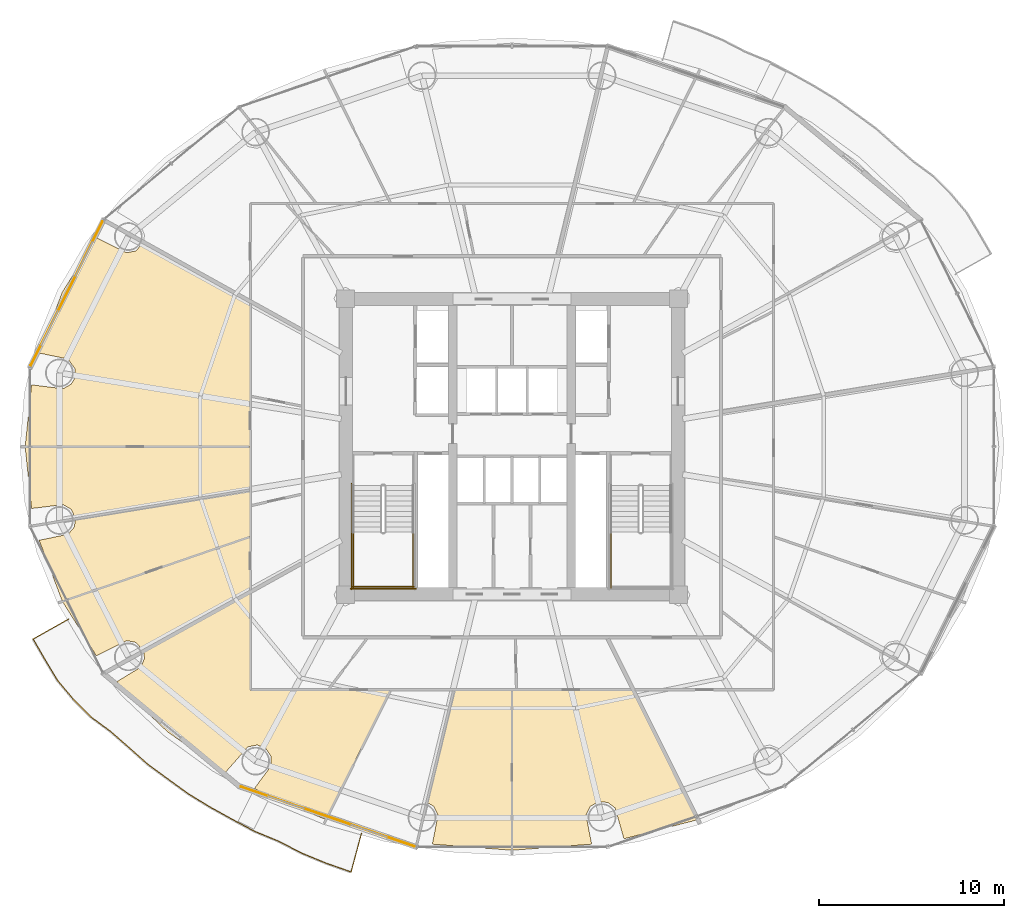
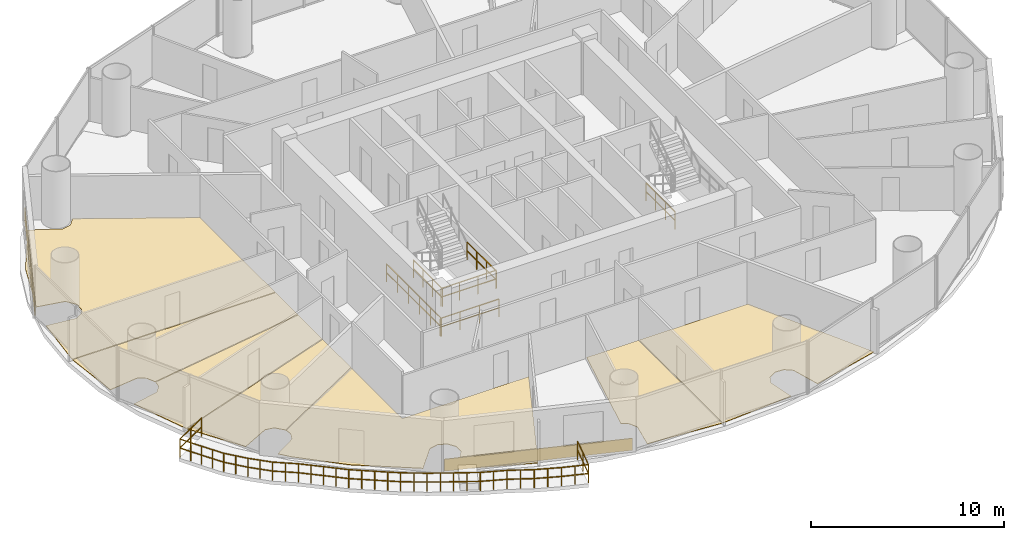
# One storey, part 25 of 28: 9 coverings, 7 railings.
"""IFC4 building model written with IfcOpenShell, lengths in metres."""

from ifc_helpers import new_model, si_unit, direction, frame, origin, origin_2d, place, context, subcontext, project, spatial, polyline, rectangle, outline, extrude, source, transform, mapped, material, layer, layer_set, type_object, element, save


model = new_model("IFC4")

# Units and contexts
model_context = context("Model", 3, precision=1e-05, world=origin(), true_north=direction((-0.2419218956, 0.970295726276)))
body_context = subcontext(model_context, "Body", "Model", "MODEL_VIEW")
ifc_project = project(units=[si_unit("LENGTHUNIT", "METRE"), si_unit("AREAUNIT", "SQUARE_METRE"), si_unit("VOLUMEUNIT", "CUBIC_METRE"), si_unit("PLANEANGLEUNIT", "RADIAN"), si_unit("MASSUNIT", "GRAM", prefix="KILO")], contexts=[model_context])

# Site, building, storey
site_placement = place(None, origin())
site = spatial("IfcSite", under=ifc_project, at=site_placement, CompositionType="ELEMENT")
building_placement = place(site_placement, origin())
building = spatial("IfcBuilding", under=site, at=building_placement, Name="Cobrevalo Terracotta Tower", CompositionType="ELEMENT")
storey_placement = place(building_placement, frame((0.0, 0.0, 101.39990234375)))
storey = spatial("IfcBuildingStorey", under=building, at=storey_placement, Name="L26", CompositionType="ELEMENT", Elevation=101.39990234375)

# Railing
ifc_material_1 = material(Name="Laminated structural glass and stainless steel", Category="steel")
railing_type_1 = type_object("IfcRailingType", Name="Balcony lobe structural glass & terracotta-cap balustrade 1180 mm", PredefinedType="BALUSTRADE", material=ifc_material_1)
railing_1_placement = place(storey_placement, frame((14.037353515625, 17.484619140625, 0.0)))
element("IfcRailing", 1, at=railing_1_placement, inside=storey, type_object=railing_type_1, Name="L26 spiralling balcony lobe balustrade 2", PredefinedType="BALUSTRADE", context=body_context, shape_type="SweptSolid", body=[
    extrude(rectangle(XDim=0.048095703125, YDim=0.048095703125, at=origin_2d()), frame((0.0, 0.0, 1.15576171875), z_axis=(-0.871457612486, -0.490470824454, 0.0), x_axis=(0.490470824454, -0.871457612486, 0.0)), (0.0, 0.0, 1.0), 2.212158203125),
    extrude(rectangle(XDim=0.048095703125, YDim=0.048095703125, at=origin_2d()), frame((0.0, 0.0, 0.58984375), z_axis=(-0.871457612486, -0.490470824454, 0.0), x_axis=(0.490470824454, -0.871457612486, 0.0)), (0.0, 0.0, 1.0), 2.212158203125),
    extrude(rectangle(XDim=0.048095703125, YDim=0.048095703125, at=origin_2d()), frame((-1.927734375, -1.0849609375, 1.15576171875), z_axis=(0.501036270542, -0.865426285481, 0.0), x_axis=(0.865426285481, 0.501036270542, 0.0)), (0.0, 0.0, 1.0), 1.302490234375),
    extrude(rectangle(XDim=0.048095703125, YDim=0.048095703125, at=origin_2d()), frame((-1.927734375, -1.0849609375, 0.58984375), z_axis=(0.501036270542, -0.865426285481, 0.0), x_axis=(0.865426285481, 0.501036270542, 0.0)), (0.0, 0.0, 1.0), 1.302490234375),
    extrude(rectangle(XDim=0.048095703125, YDim=0.048095703125, at=origin_2d()), frame((-1.275146484375, -2.212158203125, 1.15576171875), z_axis=(0.515180598973, -0.857081647477, 0.0), x_axis=(0.857081647477, 0.515180598973, 0.0)), (0.0, 0.0, 1.0), 1.310302734375),
    extrude(rectangle(XDim=0.048095703125, YDim=0.048095703125, at=origin_2d()), frame((-1.275146484375, -2.212158203125, 0.58984375), z_axis=(0.515180598973, -0.857081647477, 0.0), x_axis=(0.857081647477, 0.515180598973, 0.0)), (0.0, 0.0, 1.0), 1.310302734375),
    extrude(rectangle(XDim=0.048095703125, YDim=0.048095703125, at=origin_2d()), frame((-0.60009765625, -3.335205078125, 1.15576171875), z_axis=(0.643467831505, -0.765473154212, 0.0), x_axis=(0.765473154212, 0.643467831505, 0.0)), (0.0, 0.0, 1.0), 1.32861328125),
    extrude(rectangle(XDim=0.048095703125, YDim=0.048095703125, at=origin_2d()), frame((-0.60009765625, -3.335205078125, 0.58984375), z_axis=(0.643467831505, -0.765473154212, 0.0), x_axis=(0.765473154212, 0.643467831505, 0.0)), (0.0, 0.0, 1.0), 1.32861328125),
    extrude(rectangle(XDim=0.048095703125, YDim=0.048095703125, at=origin_2d()), frame((0.2548828125, -4.352294921875, 1.15576171875), z_axis=(0.704243474864, -0.709958539713, 0.0), x_axis=(0.709958539713, 0.704243474864, 0.0)), (0.0, 0.0, 1.0), 1.32421875),
    extrude(rectangle(XDim=0.048095703125, YDim=0.048095703125, at=origin_2d()), frame((0.2548828125, -4.352294921875, 0.58984375), z_axis=(0.704243474864, -0.709958539713, 0.0), x_axis=(0.709958539713, 0.704243474864, 0.0)), (0.0, 0.0, 1.0), 1.32421875),
    extrude(rectangle(XDim=0.048095703125, YDim=0.048095703125, at=origin_2d()), frame((1.1875, -5.29248046875, 1.15576171875), z_axis=(0.805001345374, -0.593272984338, 0.0), x_axis=(0.593272984338, 0.805001345375, 0.0)), (0.0, 0.0, 1.0), 1.351318359375),
    extrude(rectangle(XDim=0.048095703125, YDim=0.048095703125, at=origin_2d()), frame((1.1875, -5.29248046875, 0.58984375), z_axis=(0.805001345374, -0.593272984338, 0.0), x_axis=(0.593272984338, 0.805001345375, 0.0)), (0.0, 0.0, 1.0), 1.351318359375),
    extrude(rectangle(XDim=0.048095703125, YDim=0.048095703125, at=origin_2d()), frame((2.275390625, -6.09423828125, 1.15576171875), z_axis=(0.751883474493, -0.659296019087, 0.0), x_axis=(0.659296019087, 0.751883474493, 0.0)), (0.0, 0.0, 1.0), 1.33154296875),
    extrude(rectangle(XDim=0.048095703125, YDim=0.048095703125, at=origin_2d()), frame((2.275390625, -6.09423828125, 0.58984375), z_axis=(0.751883474493, -0.659296019087, 0.0), x_axis=(0.659296019087, 0.751883474493, 0.0)), (0.0, 0.0, 1.0), 1.33154296875),
    extrude(rectangle(XDim=0.048095703125, YDim=0.048095703125, at=origin_2d()), frame((3.276611328125, -6.97216796875, 1.15576171875), z_axis=(0.746792225533, -0.66505741999, 0.0), x_axis=(0.66505741999, 0.746792225533, 0.0)), (0.0, 0.0, 1.0), 1.332275390625),
    extrude(rectangle(XDim=0.048095703125, YDim=0.048095703125, at=origin_2d()), frame((3.276611328125, -6.97216796875, 0.58984375), z_axis=(0.746792225533, -0.66505741999, 0.0), x_axis=(0.66505741999, 0.746792225533, 0.0)), (0.0, 0.0, 1.0), 1.332275390625),
    extrude(rectangle(XDim=0.048095703125, YDim=0.048095703125, at=origin_2d()), frame((4.271484375, -7.858154296875, 1.15576171875), z_axis=(0.807457104256, -0.589926287587, 0.0), x_axis=(0.589926287587, 0.807457104256, 0.0)), (0.0, 0.0, 1.0), 1.355712890625),
    extrude(rectangle(XDim=0.048095703125, YDim=0.048095703125, at=origin_2d()), frame((4.271484375, -7.858154296875, 0.58984375), z_axis=(0.807457104256, -0.589926287587, 0.0), x_axis=(0.589926287587, 0.807457104256, 0.0)), (0.0, 0.0, 1.0), 1.355712890625),
    extrude(rectangle(XDim=0.048095703125, YDim=0.048095703125, at=origin_2d()), frame((5.3662109375, -8.657958984375, 1.15576171875), z_axis=(0.809336124214, -0.58734575681, 0.0), x_axis=(0.58734575681, 0.809336124214, 0.0)), (0.0, 0.0, 1.0), 1.353759765625),
    extrude(rectangle(XDim=0.048095703125, YDim=0.048095703125, at=origin_2d()), frame((5.3662109375, -8.657958984375, 0.58984375), z_axis=(0.809336124214, -0.58734575681, 0.0), x_axis=(0.58734575681, 0.809336124214, 0.0)), (0.0, 0.0, 1.0), 1.353759765625),
    extrude(rectangle(XDim=0.048095703125, YDim=0.048095703125, at=origin_2d()), frame((6.4619140625, -9.453125, 1.15576171875), z_axis=(0.853757510836, -0.520670829499, 0.0), x_axis=(0.520670829499, 0.853757510836, 0.0)), (0.0, 0.0, 1.0), 1.369140625),
    extrude(rectangle(XDim=0.048095703125, YDim=0.048095703125, at=origin_2d()), frame((6.4619140625, -9.453125, 0.58984375), z_axis=(0.853757510836, -0.520670829499, 0.0), x_axis=(0.520670829499, 0.853757510836, 0.0)), (0.0, 0.0, 1.0), 1.369140625),
    extrude(rectangle(XDim=0.048095703125, YDim=0.048095703125, at=origin_2d()), frame((7.630859375, -10.166015625, 1.15576171875), z_axis=(0.874449417135, -0.485116704384, 0.0), x_axis=(0.485116704384, 0.874449417135, 0.0)), (0.0, 0.0, 1.0), 1.37890625),
    extrude(rectangle(XDim=0.048095703125, YDim=0.048095703125, at=origin_2d()), frame((7.630859375, -10.166015625, 0.58984375), z_axis=(0.874449417135, -0.485116704384, 0.0), x_axis=(0.485116704384, 0.874449417135, 0.0)), (0.0, 0.0, 1.0), 1.37890625),
    extrude(rectangle(XDim=0.048095703125, YDim=0.048095703125, at=origin_2d()), frame((8.836669921875, -10.8349609375, 1.15576171875), z_axis=(0.881769234761, -0.471681053922, 0.0), x_axis=(0.471681053922, 0.881769234761, 0.0)), (0.0, 0.0, 1.0), 1.37939453125),
    extrude(rectangle(XDim=0.048095703125, YDim=0.048095703125, at=origin_2d()), frame((8.836669921875, -10.8349609375, 0.58984375), z_axis=(0.881769234761, -0.471681053922, 0.0), x_axis=(0.471681053922, 0.881769234761, 0.0)), (0.0, 0.0, 1.0), 1.37939453125),
    extrude(rectangle(XDim=0.048095703125, YDim=0.048095703125, at=origin_2d()), frame((10.052978515625, -11.485595703125, 1.15576171875), z_axis=(0.924840393336, -0.38035542175, 0.0), x_axis=(0.38035542175, 0.924840393336, 0.0)), (0.0, 0.0, 1.0), 1.401123046875),
    extrude(rectangle(XDim=0.048095703125, YDim=0.048095703125, at=origin_2d()), frame((10.052978515625, -11.485595703125, 0.58984375), z_axis=(0.924840393336, -0.38035542175, 0.0), x_axis=(0.38035542175, 0.924840393336, 0.0)), (0.0, 0.0, 1.0), 1.401123046875),
    extrude(rectangle(XDim=0.048095703125, YDim=0.048095703125, at=origin_2d()), frame((11.348876953125, -12.0185546875, 1.15576171875), z_axis=(0.888604721616, -0.458673793367, 0.0), x_axis=(0.458673793367, 0.888604721616, 0.0)), (0.0, 0.0, 1.0), 1.409912109375),
    extrude(rectangle(XDim=0.048095703125, YDim=0.048095703125, at=origin_2d()), frame((11.348876953125, -12.0185546875, 0.58984375), z_axis=(0.888604721616, -0.458673793367, 0.0), x_axis=(0.458673793367, 0.888604721616, 0.0)), (0.0, 0.0, 1.0), 1.409912109375),
    extrude(rectangle(XDim=0.048095703125, YDim=0.048095703125, at=origin_2d()), frame((12.601806640625, -12.665283203125, 1.15576171875), z_axis=(0.924653138874, -0.380810415786, 0.0), x_axis=(0.380810415786, 0.924653138874, 0.0)), (0.0, 0.0, 1.0), 1.418212890625),
    extrude(rectangle(XDim=0.048095703125, YDim=0.048095703125, at=origin_2d()), frame((12.601806640625, -12.665283203125, 0.58984375), z_axis=(0.924653138874, -0.380810415786, 0.0), x_axis=(0.380810415786, 0.924653138874, 0.0)), (0.0, 0.0, 1.0), 1.418212890625),
    extrude(rectangle(XDim=0.048095703125, YDim=0.048095703125, at=origin_2d()), frame((13.9130859375, -13.205322265625, 1.15576171875), z_axis=(0.943834419114, -0.330418808932, 0.0), x_axis=(0.330418808932, 0.943834419114, 0.0)), (0.0, 0.0, 1.0), 1.43115234375),
    extrude(rectangle(XDim=0.048095703125, YDim=0.048095703125, at=origin_2d()), frame((13.9130859375, -13.205322265625, 0.58984375), z_axis=(0.943834419114, -0.330418808932, 0.0), x_axis=(0.330418808932, 0.943834419114, 0.0)), (0.0, 0.0, 1.0), 1.43115234375),
    extrude(rectangle(XDim=0.048095703125, YDim=0.048095703125, at=origin_2d()), frame((15.263916015625, -13.67822265625, 1.15576171875), z_axis=(0.259807811742, 0.965660344509, 0.0), x_axis=(-0.965660344509, 0.259807811742, 0.0)), (0.0, 0.0, 1.0), 2.1669921875),
    extrude(rectangle(XDim=0.048095703125, YDim=0.048095703125, at=origin_2d()), frame((15.263916015625, -13.67822265625, 0.58984375), z_axis=(0.259807811742, 0.965660344509, 0.0), x_axis=(-0.965660344509, 0.259807811742, 0.0)), (0.0, 0.0, 1.0), 2.1669921875),
    extrude(rectangle(XDim=0.0419921875, YDim=0.0419921875, at=origin_2d()), origin(), (0.0, 0.0, 1.0), 1.1318359375),
    extrude(rectangle(XDim=0.0419921875, YDim=0.0419921875, at=origin_2d()), frame((-0.9638671875, -0.54248046875, 0.0)), (0.0, 0.0, 1.0), 1.1318359375),
    extrude(rectangle(XDim=0.0419921875, YDim=0.0419921875, at=origin_2d()), frame((-1.927734375, -1.0849609375, 0.0)), (0.0, 0.0, 1.0), 1.1318359375),
    extrude(rectangle(XDim=0.0419921875, YDim=0.0419921875, at=origin_2d()), frame((-1.6015625, -1.6484375, 0.0)), (0.0, 0.0, 1.0), 1.1318359375),
    extrude(rectangle(XDim=0.0419921875, YDim=0.0419921875, at=origin_2d()), frame((-1.275146484375, -2.212158203125, 0.0)), (0.0, 0.0, 1.0), 1.1318359375),
    extrude(rectangle(XDim=0.0419921875, YDim=0.0419921875, at=origin_2d()), frame((-0.9375, -2.773681640625, 0.0)), (0.0, 0.0, 1.0), 1.1318359375),
    extrude(rectangle(XDim=0.0419921875, YDim=0.0419921875, at=origin_2d()), frame((-0.60009765625, -3.335205078125, 0.0)), (0.0, 0.0, 1.0), 1.1318359375),
    extrude(rectangle(XDim=0.0419921875, YDim=0.0419921875, at=origin_2d()), frame((-0.172607421875, -3.84375, 0.0)), (0.0, 0.0, 1.0), 1.1318359375),
    extrude(rectangle(XDim=0.0419921875, YDim=0.0419921875, at=origin_2d()), frame((0.2548828125, -4.352294921875, 0.0)), (0.0, 0.0, 1.0), 1.1318359375),
    extrude(rectangle(XDim=0.0419921875, YDim=0.0419921875, at=origin_2d()), frame((0.72119140625, -4.822265625, 0.0)), (0.0, 0.0, 1.0), 1.1318359375),
    extrude(rectangle(XDim=0.0419921875, YDim=0.0419921875, at=origin_2d()), frame((1.1875, -5.29248046875, 0.0)), (0.0, 0.0, 1.0), 1.1318359375),
    extrude(rectangle(XDim=0.0419921875, YDim=0.0419921875, at=origin_2d()), frame((1.7314453125, -5.693359375, 0.0)), (0.0, 0.0, 1.0), 1.1318359375),
    extrude(rectangle(XDim=0.0419921875, YDim=0.0419921875, at=origin_2d()), frame((2.275390625, -6.09423828125, 0.0)), (0.0, 0.0, 1.0), 1.1318359375),
    extrude(rectangle(XDim=0.0419921875, YDim=0.0419921875, at=origin_2d()), frame((2.77587890625, -6.533203125, 0.0)), (0.0, 0.0, 1.0), 1.1318359375),
    extrude(rectangle(XDim=0.0419921875, YDim=0.0419921875, at=origin_2d()), frame((3.276611328125, -6.97216796875, 0.0)), (0.0, 0.0, 1.0), 1.1318359375),
    extrude(rectangle(XDim=0.0419921875, YDim=0.0419921875, at=origin_2d()), frame((3.77392578125, -7.4150390625, 0.0)), (0.0, 0.0, 1.0), 1.1318359375),
    extrude(rectangle(XDim=0.0419921875, YDim=0.0419921875, at=origin_2d()), frame((4.271484375, -7.858154296875, 0.0)), (0.0, 0.0, 1.0), 1.1318359375),
    extrude(rectangle(XDim=0.0419921875, YDim=0.0419921875, at=origin_2d()), frame((4.81884765625, -8.258056640625, 0.0)), (0.0, 0.0, 1.0), 1.1318359375),
    extrude(rectangle(XDim=0.0419921875, YDim=0.0419921875, at=origin_2d()), frame((5.3662109375, -8.657958984375, 0.0)), (0.0, 0.0, 1.0), 1.1318359375),
    extrude(rectangle(XDim=0.0419921875, YDim=0.0419921875, at=origin_2d()), frame((5.9140625, -9.0556640625, 0.0)), (0.0, 0.0, 1.0), 1.1318359375),
    extrude(rectangle(XDim=0.0419921875, YDim=0.0419921875, at=origin_2d()), frame((6.4619140625, -9.453125, 0.0)), (0.0, 0.0, 1.0), 1.1318359375),
    extrude(rectangle(XDim=0.0419921875, YDim=0.0419921875, at=origin_2d()), frame((7.04638671875, -9.8095703125, 0.0)), (0.0, 0.0, 1.0), 1.1318359375),
    extrude(rectangle(XDim=0.0419921875, YDim=0.0419921875, at=origin_2d()), frame((7.630859375, -10.166015625, 0.0)), (0.0, 0.0, 1.0), 1.1318359375),
    extrude(rectangle(XDim=0.0419921875, YDim=0.0419921875, at=origin_2d()), frame((8.23388671875, -10.50048828125, 0.0)), (0.0, 0.0, 1.0), 1.1318359375),
    extrude(rectangle(XDim=0.0419921875, YDim=0.0419921875, at=origin_2d()), frame((8.836669921875, -10.8349609375, 0.0)), (0.0, 0.0, 1.0), 1.1318359375),
    extrude(rectangle(XDim=0.0419921875, YDim=0.0419921875, at=origin_2d()), frame((9.44482421875, -11.16015625, 0.0)), (0.0, 0.0, 1.0), 1.1318359375),
    extrude(rectangle(XDim=0.0419921875, YDim=0.0419921875, at=origin_2d()), frame((10.052978515625, -11.485595703125, 0.0)), (0.0, 0.0, 1.0), 1.1318359375),
    extrude(rectangle(XDim=0.0419921875, YDim=0.0419921875, at=origin_2d()), frame((10.700927734375, -11.751953125, 0.0)), (0.0, 0.0, 1.0), 1.1318359375),
    extrude(rectangle(XDim=0.0419921875, YDim=0.0419921875, at=origin_2d()), frame((11.348876953125, -12.0185546875, 0.0)), (0.0, 0.0, 1.0), 1.1318359375),
    extrude(rectangle(XDim=0.0419921875, YDim=0.0419921875, at=origin_2d()), frame((11.975341796875, -12.341796875, 0.0)), (0.0, 0.0, 1.0), 1.1318359375),
    extrude(rectangle(XDim=0.0419921875, YDim=0.0419921875, at=origin_2d()), frame((12.601806640625, -12.665283203125, 0.0)), (0.0, 0.0, 1.0), 1.1318359375),
    extrude(rectangle(XDim=0.0419921875, YDim=0.0419921875, at=origin_2d()), frame((13.25732421875, -12.935302734375, 0.0)), (0.0, 0.0, 1.0), 1.1318359375),
    extrude(rectangle(XDim=0.0419921875, YDim=0.0419921875, at=origin_2d()), frame((13.9130859375, -13.205322265625, 0.0)), (0.0, 0.0, 1.0), 1.1318359375),
    extrude(rectangle(XDim=0.0419921875, YDim=0.0419921875, at=origin_2d()), frame((14.58837890625, -13.44189453125, 0.0)), (0.0, 0.0, 1.0), 1.1318359375),
    extrude(rectangle(XDim=0.0419921875, YDim=0.0419921875, at=origin_2d()), frame((15.263916015625, -13.67822265625, 0.0)), (0.0, 0.0, 1.0), 1.1318359375),
    extrude(rectangle(XDim=0.0419921875, YDim=0.0419921875, at=origin_2d()), frame((15.54541015625, -12.6318359375, 0.0)), (0.0, 0.0, 1.0), 1.1318359375),
    extrude(rectangle(XDim=0.0419921875, YDim=0.0419921875, at=origin_2d()), frame((15.826904296875, -11.585693359375, 0.0)), (0.0, 0.0, 1.0), 1.1318359375),
])

# Coverings
ifc_material_2 = material(Name="Engineered Brazilian hardwood flooring", Category="wood")
ifc_layer_1 = layer(ifc_material_2, 0.028076171875)
ifc_layer_set_1 = layer_set([ifc_layer_1], Name="Engineered Brazilian hardwood flooring")
covering_type_1 = type_object("IfcCoveringType", Name="Engineered Hardwood Suite Flooring 28", PredefinedType="FLOORING", material=ifc_layer_set_1)
covering_1_placement = place(storey_placement, origin())
element("IfcCovering", 2, at=covering_1_placement, inside=storey, type_object=covering_type_1, Name="Flat L26C Penthouse Living and Dining Room floor finish", PredefinedType="FLOORING", context=body_context, shape_type="SweptSolid", body=[
    extrude(outline(polyline([(12.024169921875, 30.143310546875), (13.73095703125, 29.932861328125), (14.1728515625, 30.189208984375), (14.353759765625, 30.481201171875), (14.38623046875, 30.9912109375), (13.99267578125, 31.537841796875), (12.435791015625, 31.859619140625), (13.682861328125, 35.14892578125), (15.525146484375, 38.10546875), (17.15966796875, 37.286376953125), (17.661865234375, 37.381103515625), (18.0703125, 37.8408203125), (23.8349609375, 34.640625), (23.8349609375, 26.820068359375), (11.681640625, 26.820068359375), (12.024169921875, 30.143310546875)])), origin(), (0.0, 0.0, 1.0), 0.030029296875),
])
covering_2_placement = place(storey_placement, origin())
element("IfcCovering", 3, at=covering_2_placement, inside=storey, type_object=covering_type_1, Name="Flat L26C Master Bedroom floor finish", PredefinedType="FLOORING", context=body_context, shape_type="SweptSolid", body=[
    extrude(outline(polyline([(11.681640625, 26.780029296875), (23.8349609375, 26.780029296875), (23.8349609375, 24.479248046875), (14.39697265625, 22.919677734375), (14.1728515625, 23.41064453125), (13.73095703125, 23.6669921875), (12.024169921875, 23.45654296875), (11.681640625, 26.780029296875)])), origin(), (0.0, 0.0, 1.0), 0.030029296875),
])
covering_3_placement = place(storey_placement, origin())
element("IfcCovering", 4, at=covering_3_placement, inside=storey, type_object=covering_type_1, Name="Flat L26C Principal Guest Bedroom floor finish", PredefinedType="FLOORING", context=body_context, shape_type="SweptSolid", body=[
    extrude(outline(polyline([(12.435791015625, 21.740478515625), (13.99267578125, 22.06201171875), (14.330322265625, 22.445556640625), (14.402587890625, 22.8798828125), (23.8349609375, 24.438720703125), (23.8349609375, 21.9462890625), (13.6845703125, 18.453369140625), (12.435791015625, 21.740478515625)])), origin(), (0.0, 0.0, 1.0), 0.030029296875),
])
covering_4_placement = place(storey_placement, origin())
element("IfcCovering", 5, at=covering_4_placement, inside=storey, type_object=covering_type_1, Name="Flat L26C Penthouse Family Lounge floor finish", PredefinedType="FLOORING", context=body_context, shape_type="SweptSolid", body=[
    extrude(outline(polyline([(18.0703125, 15.759033203125), (17.661865234375, 16.218994140625), (17.15966796875, 16.3134765625), (15.525146484375, 15.49462890625), (13.703125, 18.417236328125), (23.8349609375, 21.904052734375), (23.8349609375, 18.959228515625), (18.0703125, 15.759033203125)])), origin(), (0.0, 0.0, 1.0), 0.030029296875),
])
covering_5_placement = place(storey_placement, origin())
element("IfcCovering", 6, at=covering_5_placement, inside=storey, type_object=covering_type_1, Name="Flat L26D Living and Dining Room floor finish", PredefinedType="FLOORING", context=body_context, shape_type="SweptSolid", body=[
    extrude(outline(polyline([(24.838623046875, 7.904052734375), (24.07568359375, 8.32666015625), (24.9814453125, 9.543701171875), (24.97998046875, 10.0546875), (24.694580078125, 10.478515625), (24.221923828125, 10.672607421875), (23.72119140625, 10.5712890625), (22.511474609375, 9.193359375), (19.3876953125, 11.372314453125), (17.117919921875, 13.518310546875), (16.64697265625, 14.102294921875), (17.94091796875, 14.88720703125), (18.131591796875, 15.361328125), (18.083740234375, 15.720703125), (23.8349609375, 18.91357421875), (23.8349609375, 13.635009765625), (31.4140625, 13.635009765625), (27.92822265625, 6.64306640625), (24.838623046875, 7.904052734375)])), origin(), (0.0, 0.0, 1.0), 0.030029296875),
])
covering_6_placement = place(storey_placement, origin())
element("IfcCovering", 7, at=covering_6_placement, inside=storey, type_object=covering_type_1, Name="Flat L26D Principal Guest Bedroom floor finish", PredefinedType="FLOORING", context=body_context, shape_type="SweptSolid", body=[
    extrude(outline(polyline([(33.6904296875, 5.310791015625), (34.002197265625, 6.87841796875), (33.7802734375, 7.3388671875), (33.4169921875, 7.5712890625), (34.86865234375, 13.635009765625), (37.97998046875, 13.635009765625), (37.97998046875, 4.981201171875), (33.6904296875, 5.310791015625)])), origin(), (0.0, 0.0, 1.0), 0.030029296875),
])
covering_7_placement = place(storey_placement, origin())
element("IfcCovering", 8, at=covering_7_placement, inside=storey, type_object=covering_type_1, Name="Flat L26D Penthouse Family Lounge floor finish", PredefinedType="FLOORING", context=body_context, shape_type="SweptSolid", body=[
    extrude(outline(polyline([(38.02001953125, 13.635009765625), (44.541259765625, 13.635009765625), (48.033447265625, 6.630126953125), (44.05078125, 5.59814453125), (43.578125, 7.261962890625), (43.170166015625, 7.5693359375), (42.659912109375, 7.59814453125), (42.2197265625, 7.3388671875), (41.997802734375, 6.87841796875), (42.3095703125, 5.310791015625), (38.02001953125, 4.981201171875), (38.02001953125, 13.635009765625)])), origin(), (0.0, 0.0, 1.0), 0.030029296875),
])

# Railings
ifc_material_3 = material(Name="Painted galvanized steel", Category="steel")
railing_type_2 = type_object("IfcRailingType", Name="Stair Well Guard Balustrade 1150", PredefinedType="GUARDRAIL", material=ifc_material_3)
for number, where, name in (
    (9, (29.425048828125, 22.179931640625, 1.800048828125), "L26 ST-1 stair guard 3"),
    (10, (32.64501953125, 22.179931640625, 1.800048828125), "L26 ST-1 stair guard 4"),
):
    element("IfcRailing", number, at=place(storey_placement, frame(where)), inside=storey, type_object=railing_type_2, Name=name, PredefinedType="GUARDRAIL", context=body_context, shape_type="SweptSolid", body=[
        extrude(rectangle(XDim=0.048095703125, YDim=0.048095703125, at=origin_2d()), frame((0.0, 0.0, 1.1259765625), z_axis=(0.0, -1.0, 0.0), x_axis=(1.0, 0.0, 0.0)), (0.0, 0.0, 1.0), 3.0048828125),
        extrude(rectangle(XDim=0.048095703125, YDim=0.048095703125, at=origin_2d()), frame((0.0, 0.0, 0.574951171875), z_axis=(0.0, -1.0, 0.0), x_axis=(1.0, 0.0, 0.0)), (0.0, 0.0, 1.0), 3.0048828125),
        extrude(rectangle(XDim=0.0419921875, YDim=0.0419921875, at=origin_2d()), origin(), (0.0, 0.0, 1.0), 1.101806640625),
        extrude(rectangle(XDim=0.0419921875, YDim=0.0419921875, at=origin_2d()), frame((0.0, -1.001708984375, 0.0)), (0.0, 0.0, 1.0), 1.101806640625),
        extrude(rectangle(XDim=0.0419921875, YDim=0.0419921875, at=origin_2d()), frame((0.0, -2.003173828125, 0.0)), (0.0, 0.0, 1.0), 1.101806640625),
        extrude(rectangle(XDim=0.0419921875, YDim=0.0419921875, at=origin_2d()), frame((0.0, -3.0048828125, 0.0)), (0.0, 0.0, 1.0), 1.101806640625),
    ])
railing_2_placement = place(storey_placement, frame((29.375, 19.22509765625, 1.800048828125)))
element("IfcRailing", 11, at=railing_2_placement, inside=storey, type_object=railing_type_2, Name="L26 ST-1 stair guard 5", PredefinedType="GUARDRAIL", context=body_context, shape_type="SweptSolid", body=[
    extrude(rectangle(XDim=0.048095703125, YDim=0.048095703125, at=origin_2d()), frame((0.0, 0.0, 1.1259765625), z_axis=(1.0, 0.0, 0.0), x_axis=(0.0, 1.0, 0.0)), (0.0, 0.0, 1.0), 3.320068359375),
    extrude(rectangle(XDim=0.048095703125, YDim=0.048095703125, at=origin_2d()), frame((0.0, 0.0, 0.574951171875), z_axis=(1.0, 0.0, 0.0), x_axis=(0.0, 1.0, 0.0)), (0.0, 0.0, 1.0), 3.320068359375),
    extrude(rectangle(XDim=0.0419921875, YDim=0.0419921875, at=origin_2d()), origin(), (0.0, 0.0, 1.0), 1.101806640625),
    extrude(rectangle(XDim=0.0419921875, YDim=0.0419921875, at=origin_2d()), frame((1.106689453125, 0.0, 0.0)), (0.0, 0.0, 1.0), 1.101806640625),
    extrude(rectangle(XDim=0.0419921875, YDim=0.0419921875, at=origin_2d()), frame((2.21337890625, 0.0, 0.0)), (0.0, 0.0, 1.0), 1.101806640625),
    extrude(rectangle(XDim=0.0419921875, YDim=0.0419921875, at=origin_2d()), frame((3.320068359375, 0.0, 0.0)), (0.0, 0.0, 1.0), 1.101806640625),
])
railing_3_placement = place(storey_placement, frame((29.324951171875, 24.800048828125, 0.0)))
element("IfcRailing", 12, at=railing_3_placement, inside=storey, type_object=railing_type_2, Name="L26 ST-1 stair guard 10", PredefinedType="GUARDRAIL", context=body_context, shape_type="SweptSolid", body=[
    extrude(rectangle(XDim=0.048095703125, YDim=0.048095703125, at=origin_2d()), frame((0.0, 0.0, 1.1259765625), z_axis=(0.0, -1.0, 0.0), x_axis=(1.0, 0.0, 0.0)), (0.0, 0.0, 1.0), 5.72509765625),
    extrude(rectangle(XDim=0.048095703125, YDim=0.048095703125, at=origin_2d()), frame((0.0, 0.0, 0.574951171875), z_axis=(0.0, -1.0, 0.0), x_axis=(1.0, 0.0, 0.0)), (0.0, 0.0, 1.0), 5.72509765625),
    extrude(rectangle(XDim=0.0419921875, YDim=0.0419921875, at=origin_2d()), origin(), (0.0, 0.0, 1.0), 1.101806640625),
    extrude(rectangle(XDim=0.0419921875, YDim=0.0419921875, at=origin_2d()), frame((0.0, -1.14501953125, 0.0)), (0.0, 0.0, 1.0), 1.101806640625),
    extrude(rectangle(XDim=0.0419921875, YDim=0.0419921875, at=origin_2d()), frame((0.0, -2.2900390625, 0.0)), (0.0, 0.0, 1.0), 1.101806640625),
    extrude(rectangle(XDim=0.0419921875, YDim=0.0419921875, at=origin_2d()), frame((0.0, -3.43505859375, 0.0)), (0.0, 0.0, 1.0), 1.101806640625),
    extrude(rectangle(XDim=0.0419921875, YDim=0.0419921875, at=origin_2d()), frame((0.0, -4.580078125, 0.0)), (0.0, 0.0, 1.0), 1.101806640625),
    extrude(rectangle(XDim=0.0419921875, YDim=0.0419921875, at=origin_2d()), frame((0.0, -5.72509765625, 0.0)), (0.0, 0.0, 1.0), 1.101806640625),
])
railing_4_placement = place(storey_placement, frame((29.27490234375, 19.125, 0.0)))
element("IfcRailing", 13, at=railing_4_placement, inside=storey, type_object=railing_type_2, Name="L26 ST-1 stair guard 12", PredefinedType="GUARDRAIL", context=body_context, shape_type="SweptSolid", body=[
    extrude(rectangle(XDim=0.048095703125, YDim=0.048095703125, at=origin_2d()), frame((0.0, 0.0, 1.1259765625), z_axis=(1.0, 0.0, 0.0), x_axis=(0.0, 1.0, 0.0)), (0.0, 0.0, 1.0), 3.52001953125),
    extrude(rectangle(XDim=0.048095703125, YDim=0.048095703125, at=origin_2d()), frame((0.0, 0.0, 0.574951171875), z_axis=(1.0, 0.0, 0.0), x_axis=(0.0, 1.0, 0.0)), (0.0, 0.0, 1.0), 3.52001953125),
    extrude(rectangle(XDim=0.0419921875, YDim=0.0419921875, at=origin_2d()), origin(), (0.0, 0.0, 1.0), 1.101806640625),
    extrude(rectangle(XDim=0.0419921875, YDim=0.0419921875, at=origin_2d()), frame((1.17333984375, 0.0, 0.0)), (0.0, 0.0, 1.0), 1.101806640625),
    extrude(rectangle(XDim=0.0419921875, YDim=0.0419921875, at=origin_2d()), frame((2.3466796875, 0.0, 0.0)), (0.0, 0.0, 1.0), 1.101806640625),
    extrude(rectangle(XDim=0.0419921875, YDim=0.0419921875, at=origin_2d()), frame((3.52001953125, 0.0, 0.0)), (0.0, 0.0, 1.0), 1.101806640625),
])
railing_5_placement = place(storey_placement, frame((43.35498046875, 22.179931640625, 1.800048828125)))
element("IfcRailing", 14, at=railing_5_placement, inside=storey, type_object=railing_type_2, Name="L26 ST-2 stair guard 3", PredefinedType="GUARDRAIL", context=body_context, shape_type="SweptSolid", body=[
    extrude(rectangle(XDim=0.048095703125, YDim=0.048095703125, at=origin_2d()), frame((0.0, 0.0, 1.1259765625), z_axis=(0.0, -1.0, 0.0), x_axis=(1.0, 0.0, 0.0)), (0.0, 0.0, 1.0), 3.0048828125),
    extrude(rectangle(XDim=0.048095703125, YDim=0.048095703125, at=origin_2d()), frame((0.0, 0.0, 0.574951171875), z_axis=(0.0, -1.0, 0.0), x_axis=(1.0, 0.0, 0.0)), (0.0, 0.0, 1.0), 3.0048828125),
    extrude(rectangle(XDim=0.0419921875, YDim=0.0419921875, at=origin_2d()), origin(), (0.0, 0.0, 1.0), 1.101806640625),
    extrude(rectangle(XDim=0.0419921875, YDim=0.0419921875, at=origin_2d()), frame((0.0, -1.001708984375, 0.0)), (0.0, 0.0, 1.0), 1.101806640625),
    extrude(rectangle(XDim=0.0419921875, YDim=0.0419921875, at=origin_2d()), frame((0.0, -2.003173828125, 0.0)), (0.0, 0.0, 1.0), 1.101806640625),
    extrude(rectangle(XDim=0.0419921875, YDim=0.0419921875, at=origin_2d()), frame((0.0, -3.0048828125, 0.0)), (0.0, 0.0, 1.0), 1.101806640625),
])

# Coverings
ifc_material_4 = material(Name="Glazed terracotta facade cladding tile", Category="masonry")
ifc_layer_2 = layer(ifc_material_4, 0.044921875)
ifc_layer_set_2 = layer_set([ifc_layer_2], Name="Glazed terracotta facade cladding tile")
covering_type_2 = type_object("IfcCoveringType", Name="Architectural terracotta rainscreen spandrel cladding 45 mm", PredefinedType="CLADDING", material=ifc_layer_set_2)
shared_shape_1 = source(origin(), body_context, "Body", "SweptSolid", [
    extrude(rectangle(XDim=8.690185546875, YDim=0.044921875, at=origin_2d()), origin(), (0.0, 0.0, 1.0), 0.760009765625),
])
covering_8_placement = place(storey_placement, frame((13.924072265625, 35.08349609375, 0.0400390625), z_axis=(0.0, 0.0, 1.0), x_axis=(-0.446261852127, -0.894902430065, 0.0)))
element("IfcCovering", 15, at=covering_8_placement, inside=storey, type_object=covering_type_2, Name="L26 terracotta spandrel cladding S07", PredefinedType="CLADDING", context=body_context, shape_type="MappedRepresentation", body=[
    mapped(shared_shape_1, transform((0.0, 0.0, 0.0), scale=1.0)),
])
shared_shape_2 = source(origin(), body_context, "Body", "SweptSolid", [
    extrude(rectangle(XDim=9.928955078125, YDim=0.044921875, at=origin_2d()), origin(), (0.0, 0.0, 1.0), 0.760009765625),
])
covering_9_placement = place(storey_placement, frame((28.027587890625, 6.8017578125, 0.0400390625), z_axis=(0.0, 0.0, 1.0), x_axis=(0.945596395206, -0.325342062104, 0.0)))
element("IfcCovering", 16, at=covering_9_placement, inside=storey, type_object=covering_type_2, Name="L26 terracotta spandrel cladding S11", PredefinedType="CLADDING", context=body_context, shape_type="MappedRepresentation", body=[
    mapped(shared_shape_2, transform((0.0, 0.0, 0.0), scale=1.0)),
])

save(model, "model.ifc")
